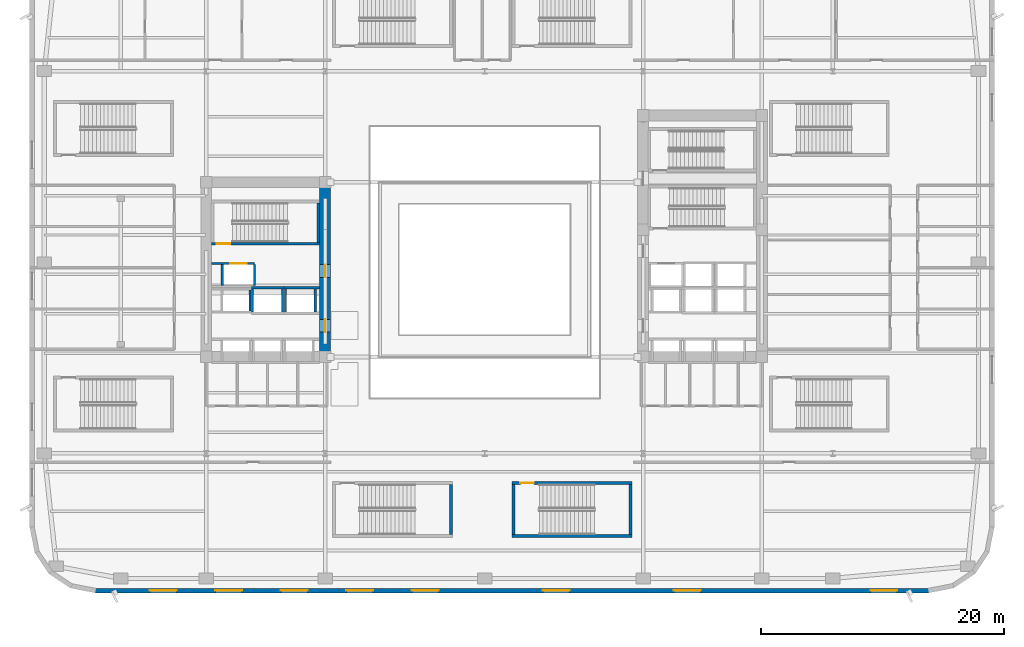
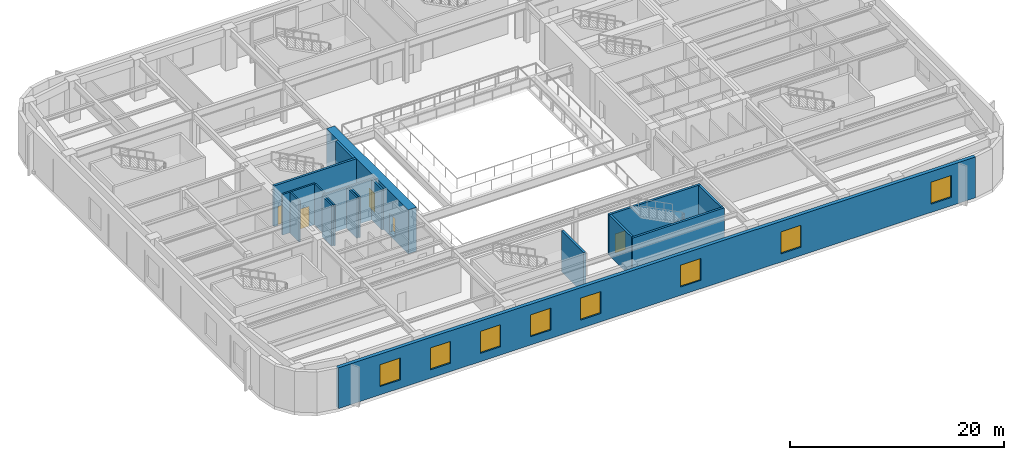
# One storey, part 6 of 21: 19 walls, 8 windows, 5 doors, 13 openings.
"""IFC4 building model written with IfcOpenShell, lengths in metres."""

from ifc_helpers import new_model, si_unit, direction, frame, frame_2d, origin, place, context, subcontext, project, spatial, rectangle, extrude, material, layer, layer_set, type_object, element, fill, save


model = new_model("IFC4")

# Units and contexts
model_context = context("Model", 3, precision=1e-05, world=origin(), true_north=direction((0.0, 1.0)))
body_context = subcontext(model_context, "Body", "Model", "MODEL_VIEW")
ifc_project = project(units=[si_unit("LENGTHUNIT", "METRE"), si_unit("AREAUNIT", "SQUARE_METRE"), si_unit("VOLUMEUNIT", "CUBIC_METRE"), si_unit("PLANEANGLEUNIT", "RADIAN"), si_unit("MASSUNIT", "GRAM", prefix="KILO")], contexts=[model_context])

# Site, building, storey
site_placement = place(None, origin())
site = spatial("IfcSite", under=ifc_project, at=site_placement, CompositionType="ELEMENT")
building_placement = place(site_placement, origin())
building = spatial("IfcBuilding", under=site, at=building_placement, Name="Kolvaren Arena Tower", CompositionType="ELEMENT")
storey_placement = place(building_placement, frame((0.0, 0.0, 18.0)))
storey = spatial("IfcBuildingStorey", under=building, at=storey_placement, Name="L03", CompositionType="ELEMENT", Elevation=18.0)

# Wall, openings, doors
ifc_material_1 = material(Name="Concrete 80 MPa", Category="concrete")
ifc_layer_1 = layer(ifc_material_1, 0.89990234375)
ifc_layer_set_1 = layer_set([ifc_layer_1], Name="Concrete 80 MPa")
wall_type_1 = type_object("IfcWallType", Name="CWALL-900", PredefinedType="SHEAR", material=ifc_layer_set_1)
wall_1_placement = place(storey_placement, frame((24.35009765625, 19.0, -0.35009765625), z_axis=(0.0, 0.0, 1.0), x_axis=(0.0, 1.0, 0.0)))
wall_1 = element("IfcWall", 1, at=wall_1_placement, inside=storey, type_object=wall_type_1, Name="Core Shear Wall WC-EAST (L03)", PredefinedType="SHEAR", context=body_context, shape_type="SweptSolid", body=[
    extrude(rectangle(XDim=15.300048828125, YDim=0.89990234375, at=frame_2d((7.64990234375, 0.0))), origin(), (0.0, 0.0, 1.0), 5.0),
])
opening_1_placement = place(wall_1_placement, frame((2.5, 0.0, 0.35009765625)))
opening_1 = element("IfcOpeningElement", 2, at=opening_1_placement, cuts=wall_1, Name="Opening D04", PredefinedType="OPENING", context=body_context, shape_type="SweptSolid", body=[
    extrude(rectangle(XDim=1.050048828125, YDim=2.14990234375, at=frame_2d((0.52490234375, 1.074951171875))), frame((0.0, 0.4599609375, 0.0), z_axis=(0.0, -1.0, 0.0), x_axis=(1.0, 0.0, 0.0)), (0.0, 0.0, 1.0), 0.919921875),
])
opening_2_placement = place(wall_1_placement, frame((7.0, 0.0, 0.35009765625)))
opening_2 = element("IfcOpeningElement", 3, at=opening_2_placement, cuts=wall_1, Name="Opening D04", PredefinedType="OPENING", context=body_context, shape_type="SweptSolid", body=[
    extrude(rectangle(XDim=1.050048828125, YDim=2.14990234375, at=frame_2d((0.52490234375, 1.074951171875))), frame((0.0, 0.4599609375, 0.0), z_axis=(0.0, -1.0, 0.0), x_axis=(1.0, 0.0, 0.0)), (0.0, 0.0, 1.0), 0.919921875),
])
ifc_material_2 = material(Name="Fire-rated steel lobby door", Category="steel")
door_type_1 = type_object("IfcDoorType", Name="DOOR-FF-105", OperationType="NOTDEFINED", PredefinedType="DOOR", material=ifc_material_2)
door_1_placement = place(opening_1_placement, origin())
door_1 = element("IfcDoor", 4, at=door_1_placement, inside=storey, type_object=door_type_1, Name="West Lift Lobby Fire Door (L03)", OperationType="SINGLE_SWING_LEFT", OverallHeight=2.14990234375, OverallWidth=1.050048828125, PredefinedType="DOOR", context=body_context, shape_type="SweptSolid", body=[
    extrude(rectangle(XDim=1.050048828125, YDim=2.14990234375, at=frame_2d((0.52490234375, 1.074951171875))), frame((0.0, 0.02490234375, 0.0), z_axis=(0.0, -1.0, 0.0), x_axis=(1.0, 0.0, 0.0)), (0.0, 0.0, 1.0), 0.050048828125),
])
fill(opening_1, door_1)
door_2_placement = place(opening_2_placement, origin())
door_2 = element("IfcDoor", 5, at=door_2_placement, inside=storey, type_object=door_type_1, Name="West Firefighter Vestibule Door (L03)", OperationType="SINGLE_SWING_RIGHT", OverallHeight=2.14990234375, OverallWidth=1.050048828125, PredefinedType="DOOR", context=body_context, shape_type="SweptSolid", body=[
    extrude(rectangle(XDim=1.050048828125, YDim=2.14990234375, at=frame_2d((0.52490234375, 1.074951171875))), frame((0.0, 0.02490234375, 0.0), z_axis=(0.0, -1.0, 0.0), x_axis=(1.0, 0.0, 0.0)), (0.0, 0.0, 1.0), 0.050048828125),
])
fill(opening_2, door_2)

# Wall, openings, windows
ifc_material_3 = material(Name="Precast concrete C50/60", Category="concrete")
ifc_layer_2 = layer(ifc_material_3, 0.3798828125)
ifc_layer_set_2 = layer_set([ifc_layer_2], Name="Precast concrete C50/60")
wall_type_2 = type_object("IfcWallType", Name="EXT-ARENA", PredefinedType="SOLIDWALL", material=ifc_layer_set_2)
wall_2_placement = place(storey_placement, frame((74.10009765625, 0.18994140625, 0.0), z_axis=(0.0, 0.0, 1.0), x_axis=(-1.0, 0.0, 0.0)))
wall_2 = element("IfcWall", 6, at=wall_2_placement, inside=storey, type_object=wall_type_2, Name="Exterior Precast Masonry-Frame Wall (L03)", PredefinedType="SOLIDWALL", context=body_context, shape_type="SweptSolid", body=[
    extrude(rectangle(XDim=68.7001953125, YDim=0.3798828125, at=frame_2d((34.35009765625, 0.0))), origin(), (0.0, 0.0, 1.0), 4.64990234375),
])
opening_3_placement = place(wall_2_placement, frame((2.60009765625, 0.0, 0.949951171875)))
opening_3 = element("IfcOpeningElement", 7, at=opening_3_placement, cuts=wall_2, Name="Opening W07", PredefinedType="OPENING", context=body_context, shape_type="SweptSolid", body=[
    extrude(rectangle(XDim=2.199951171875, YDim=2.5, at=frame_2d((1.10009765625, 1.25))), frame((0.0, 0.199951171875, 0.0), z_axis=(0.0, -1.0, 0.0), x_axis=(1.0, 0.0, 0.0)), (0.0, 0.0, 1.0), 0.39990234375),
])
opening_4_placement = place(wall_2_placement, frame((18.800048828125, 0.0, 0.949951171875)))
opening_4 = element("IfcOpeningElement", 8, at=opening_4_placement, cuts=wall_2, Name="Opening W07", PredefinedType="OPENING", context=body_context, shape_type="SweptSolid", body=[
    extrude(rectangle(XDim=2.199951171875, YDim=2.5, at=frame_2d((1.10009765625, 1.25))), frame((0.0, 0.199951171875, 0.0), z_axis=(0.0, -1.0, 0.0), x_axis=(1.0, 0.0, 0.0)), (0.0, 0.0, 1.0), 0.39990234375),
])
opening_5_placement = place(wall_2_placement, frame((29.60009765625, 0.0, 0.949951171875)))
opening_5 = element("IfcOpeningElement", 9, at=opening_5_placement, cuts=wall_2, Name="Opening W07", PredefinedType="OPENING", context=body_context, shape_type="SweptSolid", body=[
    extrude(rectangle(XDim=2.199951171875, YDim=2.5, at=frame_2d((1.10009765625, 1.25))), frame((0.0, 0.199951171875, 0.0), z_axis=(0.0, -1.0, 0.0), x_axis=(1.0, 0.0, 0.0)), (0.0, 0.0, 1.0), 0.39990234375),
])
opening_6_placement = place(wall_2_placement, frame((40.39990234375, 0.0, 0.949951171875)))
opening_6 = element("IfcOpeningElement", 10, at=opening_6_placement, cuts=wall_2, Name="Opening W07", PredefinedType="OPENING", context=body_context, shape_type="SweptSolid", body=[
    extrude(rectangle(XDim=2.199951171875, YDim=2.5, at=frame_2d((1.10009765625, 1.25))), frame((0.0, 0.199951171875, 0.0), z_axis=(0.0, -1.0, 0.0), x_axis=(1.0, 0.0, 0.0)), (0.0, 0.0, 1.0), 0.39990234375),
])
opening_7_placement = place(wall_2_placement, frame((45.800048828125, 0.0, 0.949951171875)))
opening_7 = element("IfcOpeningElement", 11, at=opening_7_placement, cuts=wall_2, Name="Opening W07", PredefinedType="OPENING", context=body_context, shape_type="SweptSolid", body=[
    extrude(rectangle(XDim=2.199951171875, YDim=2.5, at=frame_2d((1.10009765625, 1.25))), frame((0.0, 0.199951171875, 0.0), z_axis=(0.0, -1.0, 0.0), x_axis=(1.0, 0.0, 0.0)), (0.0, 0.0, 1.0), 0.39990234375),
])
opening_8_placement = place(wall_2_placement, frame((51.199951171875, 0.0, 0.949951171875)))
opening_8 = element("IfcOpeningElement", 12, at=opening_8_placement, cuts=wall_2, Name="Opening W07", PredefinedType="OPENING", context=body_context, shape_type="SweptSolid", body=[
    extrude(rectangle(XDim=2.199951171875, YDim=2.5, at=frame_2d((1.10009765625, 1.25))), frame((0.0, 0.199951171875, 0.0), z_axis=(0.0, -1.0, 0.0), x_axis=(1.0, 0.0, 0.0)), (0.0, 0.0, 1.0), 0.39990234375),
])
opening_9_placement = place(wall_2_placement, frame((56.60009765625, 0.0, 0.949951171875)))
opening_9 = element("IfcOpeningElement", 13, at=opening_9_placement, cuts=wall_2, Name="Opening W07", PredefinedType="OPENING", context=body_context, shape_type="SweptSolid", body=[
    extrude(rectangle(XDim=2.199951171875, YDim=2.5, at=frame_2d((1.10009765625, 1.25))), frame((0.0, 0.199951171875, 0.0), z_axis=(0.0, -1.0, 0.0), x_axis=(1.0, 0.0, 0.0)), (0.0, 0.0, 1.0), 0.39990234375),
])
opening_10_placement = place(wall_2_placement, frame((62.0, 0.0, 0.949951171875)))
opening_10 = element("IfcOpeningElement", 14, at=opening_10_placement, cuts=wall_2, Name="Opening W07", PredefinedType="OPENING", context=body_context, shape_type="SweptSolid", body=[
    extrude(rectangle(XDim=2.199951171875, YDim=2.5, at=frame_2d((1.10009765625, 1.25))), frame((0.0, 0.199951171875, 0.0), z_axis=(0.0, -1.0, 0.0), x_axis=(1.0, 0.0, 0.0)), (0.0, 0.0, 1.0), 0.39990234375),
])
ifc_material_4 = material(Name="Triple-glazed arena concourse window", Category="glass")
window_type = type_object("IfcWindowType", Name="WIN-POD-A", PartitioningType="DOUBLE_PANEL_VERTICAL", PredefinedType="WINDOW", material=ifc_material_4)
window_1_placement = place(opening_3_placement, origin())
window_1 = element("IfcWindow", 15, at=window_1_placement, inside=storey, type_object=window_type, Name="Punched Precast-Pier Window (L03)", OverallHeight=2.5, OverallWidth=2.199951171875, PartitioningType="DOUBLE_PANEL_VERTICAL", PredefinedType="WINDOW", context=body_context, shape_type="SweptSolid", body=[
    extrude(rectangle(XDim=2.199951171875, YDim=2.5, at=frame_2d((1.10009765625, 1.25))), frame((0.0, 0.030029296875, 0.0), z_axis=(0.0, -1.0, 0.0), x_axis=(1.0, 0.0, 0.0)), (0.0, 0.0, 1.0), 0.06005859375),
])
fill(opening_3, window_1)
window_2_placement = place(opening_4_placement, origin())
window_2 = element("IfcWindow", 16, at=window_2_placement, inside=storey, type_object=window_type, Name="Punched Precast-Pier Window (L03)", OverallHeight=2.5, OverallWidth=2.199951171875, PartitioningType="DOUBLE_PANEL_VERTICAL", PredefinedType="WINDOW", context=body_context, shape_type="SweptSolid", body=[
    extrude(rectangle(XDim=2.199951171875, YDim=2.5, at=frame_2d((1.10009765625, 1.25))), frame((0.0, 0.030029296875, 0.0), z_axis=(0.0, -1.0, 0.0), x_axis=(1.0, 0.0, 0.0)), (0.0, 0.0, 1.0), 0.06005859375),
])
fill(opening_4, window_2)
window_3_placement = place(opening_5_placement, origin())
window_3 = element("IfcWindow", 17, at=window_3_placement, inside=storey, type_object=window_type, Name="Punched Precast-Pier Window (L03)", OverallHeight=2.5, OverallWidth=2.199951171875, PartitioningType="DOUBLE_PANEL_VERTICAL", PredefinedType="WINDOW", context=body_context, shape_type="SweptSolid", body=[
    extrude(rectangle(XDim=2.199951171875, YDim=2.5, at=frame_2d((1.10009765625, 1.25))), frame((0.0, 0.030029296875, 0.0), z_axis=(0.0, -1.0, 0.0), x_axis=(1.0, 0.0, 0.0)), (0.0, 0.0, 1.0), 0.06005859375),
])
fill(opening_5, window_3)
window_4_placement = place(opening_6_placement, origin())
window_4 = element("IfcWindow", 18, at=window_4_placement, inside=storey, type_object=window_type, Name="Punched Precast-Pier Window (L03)", OverallHeight=2.5, OverallWidth=2.199951171875, PartitioningType="DOUBLE_PANEL_VERTICAL", PredefinedType="WINDOW", context=body_context, shape_type="SweptSolid", body=[
    extrude(rectangle(XDim=2.199951171875, YDim=2.5, at=frame_2d((1.10009765625, 1.25))), frame((0.0, 0.030029296875, 0.0), z_axis=(0.0, -1.0, 0.0), x_axis=(1.0, 0.0, 0.0)), (0.0, 0.0, 1.0), 0.06005859375),
])
fill(opening_6, window_4)
window_5_placement = place(opening_7_placement, origin())
window_5 = element("IfcWindow", 19, at=window_5_placement, inside=storey, type_object=window_type, Name="Punched Precast-Pier Window (L03)", OverallHeight=2.5, OverallWidth=2.199951171875, PartitioningType="DOUBLE_PANEL_VERTICAL", PredefinedType="WINDOW", context=body_context, shape_type="SweptSolid", body=[
    extrude(rectangle(XDim=2.199951171875, YDim=2.5, at=frame_2d((1.10009765625, 1.25))), frame((0.0, 0.030029296875, 0.0), z_axis=(0.0, -1.0, 0.0), x_axis=(1.0, 0.0, 0.0)), (0.0, 0.0, 1.0), 0.06005859375),
])
fill(opening_7, window_5)
window_6_placement = place(opening_8_placement, origin())
window_6 = element("IfcWindow", 20, at=window_6_placement, inside=storey, type_object=window_type, Name="Punched Precast-Pier Window (L03)", OverallHeight=2.5, OverallWidth=2.199951171875, PartitioningType="DOUBLE_PANEL_VERTICAL", PredefinedType="WINDOW", context=body_context, shape_type="SweptSolid", body=[
    extrude(rectangle(XDim=2.199951171875, YDim=2.5, at=frame_2d((1.10009765625, 1.25))), frame((0.0, 0.030029296875, 0.0), z_axis=(0.0, -1.0, 0.0), x_axis=(1.0, 0.0, 0.0)), (0.0, 0.0, 1.0), 0.06005859375),
])
fill(opening_8, window_6)
window_7_placement = place(opening_9_placement, origin())
window_7 = element("IfcWindow", 21, at=window_7_placement, inside=storey, type_object=window_type, Name="Punched Precast-Pier Window (L03)", OverallHeight=2.5, OverallWidth=2.199951171875, PartitioningType="DOUBLE_PANEL_VERTICAL", PredefinedType="WINDOW", context=body_context, shape_type="SweptSolid", body=[
    extrude(rectangle(XDim=2.199951171875, YDim=2.5, at=frame_2d((1.10009765625, 1.25))), frame((0.0, 0.030029296875, 0.0), z_axis=(0.0, -1.0, 0.0), x_axis=(1.0, 0.0, 0.0)), (0.0, 0.0, 1.0), 0.06005859375),
])
fill(opening_9, window_7)
window_8_placement = place(opening_10_placement, origin())
window_8 = element("IfcWindow", 22, at=window_8_placement, inside=storey, type_object=window_type, Name="Punched Precast-Pier Window (L03)", OverallHeight=2.5, OverallWidth=2.199951171875, PartitioningType="DOUBLE_PANEL_VERTICAL", PredefinedType="WINDOW", context=body_context, shape_type="SweptSolid", body=[
    extrude(rectangle(XDim=2.199951171875, YDim=2.5, at=frame_2d((1.10009765625, 1.25))), frame((0.0, 0.030029296875, 0.0), z_axis=(0.0, -1.0, 0.0), x_axis=(1.0, 0.0, 0.0)), (0.0, 0.0, 1.0), 0.06005859375),
])
fill(opening_10, window_8)

# Wall
ifc_material_5 = material(Name="Concrete 45 MPa", Category="concrete")
ifc_layer_3 = layer(ifc_material_5, 0.25)
ifc_layer_set_3 = layer_set([ifc_layer_3], Name="Concrete 45 MPa")
wall_type_3 = type_object("IfcWallType", Name="SHAFT-250", PredefinedType="SOLIDWALL", material=ifc_layer_set_3)
wall_3_placement = place(storey_placement, frame((34.719970703125, 4.800048828125, 0.0), z_axis=(0.0, 0.0, 1.0), x_axis=(0.0, 1.0, 0.0)))
element("IfcWall", 23, at=wall_3_placement, inside=storey, type_object=wall_type_3, Name="Stair ST-A2 East Shaft Wall (L03)", PredefinedType="SOLIDWALL", context=body_context, shape_type="SweptSolid", body=[
    extrude(rectangle(XDim=4.14990234375, YDim=0.239990234375, at=frame_2d((2.074951171875, 0.0))), origin(), (0.0, 0.0, 1.0), 4.64990234375),
])

# Wall, opening, door
wall_4_placement = place(storey_placement, frame((39.760009765625, 9.070068359375, 0.0), z_axis=(0.0, 0.0, 1.0), x_axis=(1.0, 0.0, 0.0)))
wall_4 = element("IfcWall", 24, at=wall_4_placement, inside=storey, type_object=wall_type_3, Name="Stair ST-A3 Rated Enclosure Wall (L03)", PredefinedType="SOLIDWALL", context=body_context, shape_type="SweptSolid", body=[
    extrude(rectangle(XDim=9.8798828125, YDim=0.239990234375, at=frame_2d((4.93994140625, 0.0))), origin(), (0.0, 0.0, 1.0), 4.64990234375),
])
opening_11_placement = place(wall_4_placement, frame((0.68994140625, 0.0, 0.0)))
opening_11 = element("IfcOpeningElement", 25, at=opening_11_placement, cuts=wall_4, Name="Opening D03", PredefinedType="OPENING", context=body_context, shape_type="SweptSolid", body=[
    extrude(rectangle(XDim=1.10009765625, YDim=2.14990234375, at=frame_2d((0.550048828125, 1.074951171875))), frame((0.0, 0.1298828125, 0.0), z_axis=(0.0, -1.0, 0.0), x_axis=(1.0, 0.0, 0.0)), (0.0, 0.0, 1.0), 0.260009765625),
])
ifc_material_6 = material(Name="Fire-rated steel exit stair door", Category="steel")
door_type_2 = type_object("IfcDoorType", Name="DOOR-ST-110", OperationType="NOTDEFINED", PredefinedType="DOOR", material=ifc_material_6)
door_3_placement = place(opening_11_placement, origin())
door_3 = element("IfcDoor", 26, at=door_3_placement, inside=storey, type_object=door_type_2, Name="Exit Stair ST-A3 Fire Door (L03)", OperationType="SINGLE_SWING_RIGHT", OverallHeight=2.14990234375, OverallWidth=1.10009765625, PredefinedType="DOOR", context=body_context, shape_type="SweptSolid", body=[
    extrude(rectangle(XDim=1.10009765625, YDim=2.14990234375, at=frame_2d((0.550048828125, 1.074951171875))), frame((0.0, 0.02490234375, 0.0), z_axis=(0.0, -1.0, 0.0), x_axis=(1.0, 0.0, 0.0)), (0.0, 0.0, 1.0), 0.050048828125),
])
fill(opening_11, door_3)

# Walls
wall_5_placement = place(storey_placement, frame((39.760009765625, 4.679931640625, 0.0), z_axis=(0.0, 0.0, 1.0), x_axis=(1.0, 0.0, 0.0)))
element("IfcWall", 27, at=wall_5_placement, inside=storey, type_object=wall_type_3, Name="Stair ST-A3 Rear Shaft Wall (L03)", PredefinedType="SOLIDWALL", context=body_context, shape_type="SweptSolid", body=[
    extrude(rectangle(XDim=9.8798828125, YDim=0.239990234375, at=frame_2d((4.93994140625, 0.0))), origin(), (0.0, 0.0, 1.0), 4.64990234375),
])
for number, where, z_axis, x_axis, name in (
    (28, (39.8798828125, 4.800048828125, 0.0), (0.0, 0.0, 1.0), (0.0, 1.0, 0.0), "Stair ST-A3 West Shaft Wall (L03)"),
    (29, (49.52001953125, 4.800048828125, 0.0), (0.0, 0.0, 1.0), (0.0, 1.0, 0.0), "Stair ST-A3 East Shaft Wall (L03)"),
):
    element("IfcWall", number, at=place(storey_placement, frame(where, z_axis=z_axis, x_axis=x_axis)), inside=storey, type_object=wall_type_3, Name=name, PredefinedType="SOLIDWALL", context=body_context, shape_type="SweptSolid", body=[
        extrude(rectangle(XDim=4.14990234375, YDim=0.239990234375, at=frame_2d((2.074951171875, 0.0))), origin(), (0.0, 0.0, 1.0), 4.64990234375),
    ])

# Wall, opening, door
wall_6_placement = place(storey_placement, frame((23.89990234375, 28.780029296875, 0.0), z_axis=(0.0, 0.0, 1.0), x_axis=(-1.0, 0.0, 0.0)))
wall_6 = element("IfcWall", 30, at=wall_6_placement, inside=storey, type_object=wall_type_3, Name="Core Shaft Wall (L03)", PredefinedType="SOLIDWALL", context=body_context, shape_type="SweptSolid", body=[
    extrude(rectangle(XDim=8.89990234375, YDim=0.239990234375, at=frame_2d((4.449951171875, 0.0))), origin(), (0.0, 0.0, 1.0), 4.64990234375),
])
opening_12_placement = place(wall_6_placement, frame((7.3798828125, 0.0, 0.0)))
opening_12 = element("IfcOpeningElement", 31, at=opening_12_placement, cuts=wall_6, Name="Opening D03", PredefinedType="OPENING", context=body_context, shape_type="SweptSolid", body=[
    extrude(rectangle(XDim=1.10009765625, YDim=2.14990234375, at=frame_2d((0.550048828125, 1.074951171875))), frame((0.0, 0.1298828125, 0.0), z_axis=(0.0, -1.0, 0.0), x_axis=(1.0, 0.0, 0.0)), (0.0, 0.0, 1.0), 0.260009765625),
])
door_4_placement = place(opening_12_placement, origin())
door_4 = element("IfcDoor", 32, at=door_4_placement, inside=storey, type_object=door_type_2, Name="Stair ST-W1 Fire Door (L03)", OperationType="SINGLE_SWING_RIGHT", OverallHeight=2.14990234375, OverallWidth=1.10009765625, PredefinedType="DOOR", context=body_context, shape_type="SweptSolid", body=[
    extrude(rectangle(XDim=1.10009765625, YDim=2.14990234375, at=frame_2d((0.550048828125, 1.074951171875))), frame((0.0, 0.02490234375, 0.0), z_axis=(0.0, -1.0, 0.0), x_axis=(1.0, 0.0, 0.0)), (0.0, 0.0, 1.0), 0.050048828125),
])
fill(opening_12, door_4)

# Walls
wall_7_placement = place(storey_placement, frame((23.780029296875, 28.89990234375, 0.0), z_axis=(0.0, 0.0, 1.0), x_axis=(0.0, 1.0, 0.0)))
element("IfcWall", 33, at=wall_7_placement, inside=storey, type_object=wall_type_3, Name="Core Shaft Wall (L03)", PredefinedType="SOLIDWALL", context=body_context, shape_type="SweptSolid", body=[
    extrude(rectangle(XDim=3.22998046875, YDim=0.239990234375, at=frame_2d((1.614990234375, 0.0))), origin(), (0.0, 0.0, 1.0), 4.64990234375),
])
wall_8_placement = place(storey_placement, frame((18.155029296875, 23.235107421875, 0.0), z_axis=(0.0, 0.0, 1.0), x_axis=(0.0, 1.0, 0.0)))
element("IfcWall", 34, at=wall_8_placement, inside=storey, type_object=wall_type_3, Name="Core Shaft Wall (L03)", PredefinedType="SOLIDWALL", context=body_context, shape_type="SweptSolid", body=[
    extrude(rectangle(XDim=1.72998046875, YDim=0.179931640625, at=frame_2d((0.864990234375, 0.0))), origin(), (0.0, 0.0, 1.0), 4.64990234375),
])
wall_9_placement = place(storey_placement, frame((18.262451171875, 25.155029296875, 0.0), z_axis=(0.0, 0.0, 1.0), x_axis=(1.0, 0.0, 0.0)))
element("IfcWall", 35, at=wall_9_placement, inside=storey, type_object=wall_type_3, Name="Core Shaft Wall (L03)", PredefinedType="SOLIDWALL", context=body_context, shape_type="SweptSolid", body=[
    extrude(rectangle(XDim=2.6875, YDim=0.179931640625, at=frame_2d((1.34375, 0.0))), origin(), (0.0, 0.0, 1.0), 4.64990234375),
])
for number, where, z_axis, x_axis, name in (
    (36, (18.3701171875, 23.135009765625, 0.0), (0.0, 0.0, 1.0), (0.0, 1.0, 0.0), "Core Shaft Wall (L03)"),
    (37, (20.830078125, 23.135009765625, 0.0), (0.0, 0.0, 1.0), (0.0, 1.0, 0.0), "Core Shaft Wall (L03)"),
):
    element("IfcWall", number, at=place(storey_placement, frame(where, z_axis=z_axis, x_axis=x_axis)), inside=storey, type_object=wall_type_3, Name=name, PredefinedType="SOLIDWALL", context=body_context, shape_type="SweptSolid", body=[
        extrude(rectangle(XDim=1.929931640625, YDim=0.179931640625, at=frame_2d((0.96484375, 0.0))), origin(), (0.0, 0.0, 1.0), 4.64990234375),
    ])
wall_10_placement = place(storey_placement, frame((20.949951171875, 25.155029296875, 0.0), z_axis=(0.0, 0.0, 1.0), x_axis=(1.0, 0.0, 0.0)))
element("IfcWall", 38, at=wall_10_placement, inside=storey, type_object=wall_type_3, Name="Core Shaft Wall (L03)", PredefinedType="SOLIDWALL", context=body_context, shape_type="SweptSolid", body=[
    extrude(rectangle(XDim=2.949951171875, YDim=0.179931640625, at=frame_2d((1.47509765625, 0.0))), origin(), (0.0, 0.0, 1.0), 4.64990234375),
])
for number, where, z_axis, x_axis, name in (
    (39, (21.070068359375, 23.135009765625, 0.0), (0.0, 0.0, 1.0), (0.0, 1.0, 0.0), "Core Shaft Wall (L03)"),
    (40, (23.530029296875, 23.135009765625, 0.0), (0.0, 0.0, 1.0), (0.0, 1.0, 0.0), "Core Shaft Wall (L03)"),
):
    element("IfcWall", number, at=place(storey_placement, frame(where, z_axis=z_axis, x_axis=x_axis)), inside=storey, type_object=wall_type_3, Name=name, PredefinedType="SOLIDWALL", context=body_context, shape_type="SweptSolid", body=[
        extrude(rectangle(XDim=1.929931640625, YDim=0.179931640625, at=frame_2d((0.96484375, 0.0))), origin(), (0.0, 0.0, 1.0), 4.64990234375),
    ])

# Wall, opening, door
wall_11_placement = place(storey_placement, frame((15.0, 27.155029296875, 0.0), z_axis=(0.0, 0.0, 1.0), x_axis=(1.0, 0.0, 0.0)))
wall_11 = element("IfcWall", 41, at=wall_11_placement, inside=storey, type_object=wall_type_3, Name="Core Shaft Wall (L03)", PredefinedType="SOLIDWALL", context=body_context, shape_type="SweptSolid", body=[
    extrude(rectangle(XDim=3.530029296875, YDim=0.179931640625, at=frame_2d((1.76513671875, 0.0))), origin(), (0.0, 0.0, 1.0), 4.64990234375),
])
opening_13_placement = place(wall_11_placement, frame((1.52490234375, 0.0, 0.0)))
opening_13 = element("IfcOpeningElement", 42, at=opening_13_placement, cuts=wall_11, Name="Opening LD2", PredefinedType="OPENING", context=body_context, shape_type="SweptSolid", body=[
    extrude(rectangle(XDim=1.35009765625, YDim=2.300048828125, at=frame_2d((0.675048828125, 1.14990234375))), frame((0.0, 0.099853515625, 0.0), z_axis=(0.0, -1.0, 0.0), x_axis=(1.0, 0.0, 0.0)), (0.0, 0.0, 1.0), 0.199951171875),
])
ifc_material_7 = material(Name="Stainless steel firefighter lift landing door", Category="steel")
door_type_3 = type_object("IfcDoorType", Name="DOOR-LD-135", OperationType="DOUBLE_DOOR_SLIDING", PredefinedType="DOOR", material=ifc_material_7)
door_5_placement = place(opening_13_placement, origin())
door_5 = element("IfcDoor", 43, at=door_5_placement, inside=storey, type_object=door_type_3, Name="Firefighter Lift FF-W1 Landing Door (L03)", OperationType="DOUBLE_DOOR_SLIDING", OverallHeight=2.300048828125, OverallWidth=1.35009765625, PredefinedType="DOOR", context=body_context, shape_type="SweptSolid", body=[
    extrude(rectangle(XDim=1.35009765625, YDim=2.300048828125, at=frame_2d((0.675048828125, 1.14990234375))), frame((0.0, 0.02490234375, 0.0), z_axis=(0.0, -1.0, 0.0), x_axis=(1.0, 0.0, 0.0)), (0.0, 0.0, 1.0), 0.050048828125),
])
fill(opening_13, door_5)

# Walls
for number, where, z_axis, x_axis, name in (
    (44, (15.8701171875, 25.3349609375, 0.0), (0.0, 0.0, 1.0), (0.0, 1.0, 0.0), "Core Shaft Wall (L03)"),
    (45, (18.530029296875, 25.3349609375, 0.0), (0.0, 0.0, 1.0), (0.0, 1.0, 0.0), "Core Shaft Wall (L03)"),
):
    element("IfcWall", number, at=place(storey_placement, frame(where, z_axis=z_axis, x_axis=x_axis)), inside=storey, type_object=wall_type_3, Name=name, PredefinedType="SOLIDWALL", context=body_context, shape_type="SweptSolid", body=[
        extrude(rectangle(XDim=1.72998046875, YDim=0.179931640625, at=frame_2d((0.864990234375, 0.0))), origin(), (0.0, 0.0, 1.0), 4.64990234375),
    ])

save(model, "model.ifc")
